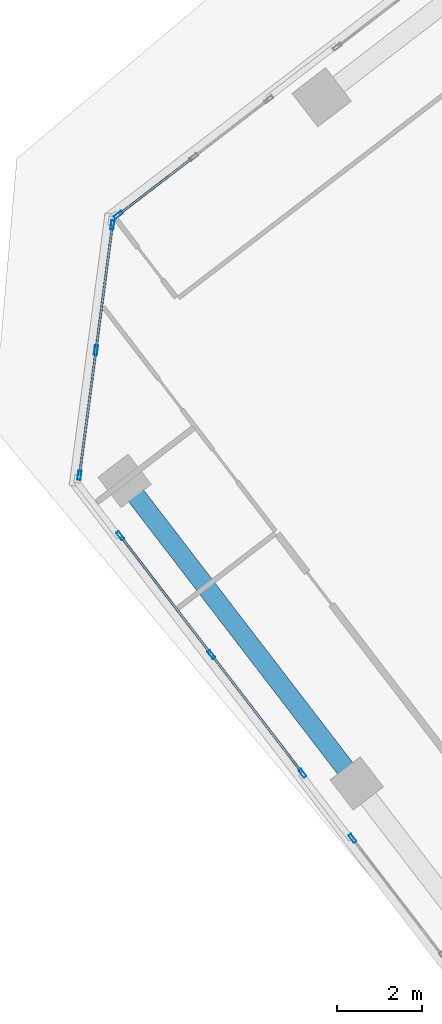
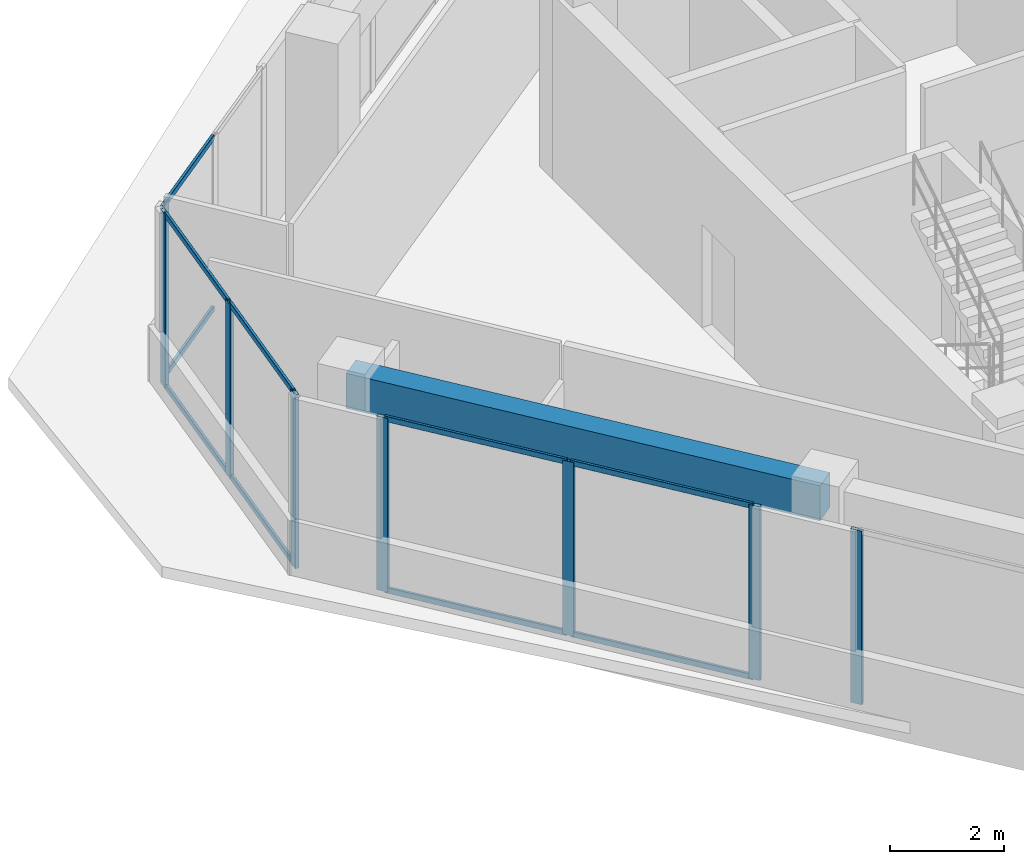
# One storey, part 4 of 17: 18 members, 1 beam, 4 elements without a shape of their own.
"""IFC4 building model written with IfcOpenShell, lengths in metres."""

import ifcopenshell
import ifcopenshell.guid

model = None  # the IFC model being written
_history = None  # IfcOwnerHistory: only IFC2X3 demands one
_inside = {}  # id of a spatial element -> (the spatial element, [elements in it])
_under = {}  # id of a project, library or spatial element -> (it, [spatial elements below it])
_declared = {}  # id of a project -> (the project, [libraries it declares])
_typed = {}  # id of a type object -> (the type object, [elements of that type])
_made_of = {}  # id of a material, layer set ... -> (it, [elements and type objects made of it])


def new_model(schema):
    """Start an empty IFC model of exactly this schema.

    Asked for "IFC4X3", IfcOpenShell would pick the latest addendum, in which some entities
    have other attributes; the version numbers below select the first issue.
    IFC2X3 requires an IfcOwnerHistory on every rooted entity: one is made here for all.
    """
    global model, _history
    if schema == "IFC4X3":
        model = ifcopenshell.file(schema_version=(4, 3, 0, 0))
    else:
        model = ifcopenshell.file(schema=schema)
    _inside.clear()
    _under.clear()
    _declared.clear()
    _typed.clear()
    _made_of.clear()
    _history = None
    if model.schema == "IFC2X3":
        org = make("IfcOrganization", Name="unknown")
        user = make(
            "IfcPersonAndOrganization",
            ThePerson=make("IfcPerson", FamilyName="unknown"),
            TheOrganization=org,
        )
        app = make(
            "IfcApplication",
            ApplicationDeveloper=org,
            Version="unknown",
            ApplicationFullName="unknown",
            ApplicationIdentifier="unknown",
        )
        _history = make(
            "IfcOwnerHistory",
            OwningUser=user,
            OwningApplication=app,
            ChangeAction="ADDED",
            CreationDate=0,
        )
    return model


def make(cls, **values):
    """One entity of the class cls with the attributes given. An attribute that is None is left unset."""
    return model.create_entity(
        cls, **{name: value for name, value in values.items() if value is not None}
    )


def rooted(cls, **values):
    """An entity with a GlobalId (a new one), such as an element, a storey or a relation."""
    return make(cls, GlobalId=ifcopenshell.guid.new(), OwnerHistory=_history, **values)


def si_unit(unit_type, name, prefix=None):
    """IfcSIUnit, for example si_unit("LENGTHUNIT", "METRE", prefix="MILLI")."""
    return make("IfcSIUnit", UnitType=unit_type, Prefix=prefix, Name=name)


def assignment(units):
    """IfcUnitAssignment: the units of a project."""
    return None if units is None else make("IfcUnitAssignment", Units=units)


def point(xyz):
    """IfcCartesianPoint."""
    return None if xyz is None else make("IfcCartesianPoint", Coordinates=xyz)


def direction(xyz):
    """IfcDirection."""
    return None if xyz is None else make("IfcDirection", DirectionRatios=xyz)


def frame(location, z_axis=None, x_axis=None):
    """IfcAxis2Placement3D, a coordinate frame: its origin and axes. An axis left out is left unset."""
    return make(
        "IfcAxis2Placement3D",
        Location=point(location),
        Axis=direction(z_axis),
        RefDirection=direction(x_axis),
    )


def frame_2d(location, x_axis=None):
    """IfcAxis2Placement2D, a coordinate frame in the plane: its origin and x axis."""
    return make(
        "IfcAxis2Placement2D", Location=point(location), RefDirection=direction(x_axis)
    )


def origin():
    """The frame at (0, 0, 0) with its axes left unset."""
    return frame((0.0, 0.0, 0.0))


def origin_2d():
    """The frame at (0, 0) in the plane with its x axis left unset."""
    return frame_2d((0.0, 0.0))


def place(relative_to, where):
    """IfcLocalPlacement: puts the frame where relative to a parent placement (None: the world)."""
    return make(
        "IfcLocalPlacement", PlacementRelTo=relative_to, RelativePlacement=where
    )


def context(
    kind, dimensions, precision=None, world=None, true_north=None, identifier=None
):
    """IfcGeometricRepresentationContext, for example the 3D "Model" context."""
    return make(
        "IfcGeometricRepresentationContext",
        ContextIdentifier=identifier,
        ContextType=kind,
        CoordinateSpaceDimension=dimensions,
        Precision=precision,
        WorldCoordinateSystem=world,
        TrueNorth=true_north,
    )


def subcontext(parent, identifier, kind, view, scale=None):
    """IfcGeometricRepresentationSubContext, for example "Body" below "Model"."""
    return make(
        "IfcGeometricRepresentationSubContext",
        ContextIdentifier=identifier,
        ContextType=kind,
        ParentContext=parent,
        TargetScale=scale,
        TargetView=view,
    )


def project(units=None, contexts=None):
    """IfcProject with its units and contexts."""
    return rooted(
        "IfcProject",
        Name="project",
        RepresentationContexts=contexts,
        UnitsInContext=assignment(units),
    )


def spatial(cls, under=None, at=None, **own):
    """A site, building, storey or space (cls), placed at a placement, below another one or the project."""
    s = rooted(cls, ObjectPlacement=at, **own)
    if under is not None:
        _under.setdefault(under.id(), (under, []))[1].append(s)
    return s


def profile(cls, at=None, kind="AREA", **sizes):
    """A parametric profile (cls). Its sizes go by their IFC names, for example OverallWidth=200.0."""
    return make(cls, ProfileType=kind, Position=at, **sizes)


def rectangle(**sizes):
    """IfcRectangleProfileDef."""
    return profile("IfcRectangleProfileDef", **sizes)


def hollow_rectangle(**sizes):
    """IfcRectangleHollowProfileDef."""
    return profile("IfcRectangleHollowProfileDef", **sizes)


def extrude(swept, where, along, depth):
    """IfcExtrudedAreaSolid: the profile swept, set in the frame where, extruded along a direction by depth."""
    return make(
        "IfcExtrudedAreaSolid",
        SweptArea=swept,
        Position=where,
        ExtrudedDirection=direction(along),
        Depth=depth,
    )


def shape(context_of_items, identifier, shape_type, items):
    """IfcShapeRepresentation: the items that make up one representation, for example the "Body"."""
    return make(
        "IfcShapeRepresentation",
        ContextOfItems=context_of_items,
        RepresentationIdentifier=identifier,
        RepresentationType=shape_type,
        Items=items,
    )


def source(mapping_origin, context_of_items, identifier, shape_type, items):
    """IfcRepresentationMap: a shape defined once, which mapped items show again and again."""
    return make(
        "IfcRepresentationMap",
        MappingOrigin=mapping_origin,
        MappedRepresentation=shape(context_of_items, identifier, shape_type, items),
    )


def transform(
    local_origin,
    x_axis=None,
    y_axis=None,
    z_axis=None,
    scale=None,
    scale2=None,
    scale3=None,
    uniform=True,
):
    """IfcCartesianTransformationOperator3D, or its non-uniform kind. x_axis, y_axis, z_axis: its Axis1, 2, 3."""
    if uniform:
        return make(
            "IfcCartesianTransformationOperator3D",
            Axis1=direction(x_axis),
            Axis2=direction(y_axis),
            LocalOrigin=point(local_origin),
            Scale=scale,
            Axis3=direction(z_axis),
        )
    return make(
        "IfcCartesianTransformationOperator3DnonUniform",
        Axis1=direction(x_axis),
        Axis2=direction(y_axis),
        LocalOrigin=point(local_origin),
        Scale=scale,
        Axis3=direction(z_axis),
        Scale2=scale2,
        Scale3=scale3,
    )


def mapped(mapping_source, mapping_target):
    """IfcMappedItem: shows the shape of a source again, moved by a transform."""
    return make(
        "IfcMappedItem", MappingSource=mapping_source, MappingTarget=mapping_target
    )


def material(Name=None, Category=None):
    """IfcMaterial."""
    return make("IfcMaterial", Name=Name, Category=Category)


def material_profile(
    of_material, cross_section, Name=None, Category=None, Priority=None
):
    """IfcMaterialProfile: a cross section and its material."""
    return make(
        "IfcMaterialProfile",
        Name=Name,
        Material=of_material,
        Profile=cross_section,
        Priority=Priority,
        Category=Category,
    )


def profile_set(profiles, Name=None, composite=None):
    """IfcMaterialProfileSet."""
    return make(
        "IfcMaterialProfileSet",
        Name=Name,
        MaterialProfiles=profiles,
        CompositeProfile=composite,
    )


def made_of(thing, what):
    """Note that an element or type object is made of a material, layer set ...; save() writes the relation."""
    if what is not None:
        _made_of.setdefault(what.id(), (what, []))[1].append(thing)
    return thing


def type_object(cls, material=None, **own):
    """A type object (cls), such as IfcWallType, which elements share."""
    return made_of(rooted(cls, **own), material)


def element(
    cls,
    number,
    at=None,
    inside=None,
    cuts=None,
    type_object=None,
    material=None,
    context=None,
    identifier="Body",
    shape_type=None,
    held_by="IfcProductDefinitionShape",
    body=None,
    shapes=None,
    **own,
):
    """One element of the class cls, such as IfcWall. Its Tag is "e" and its number.

    at: its placement. inside: the storey or other place that contains it. cuts: it is an
    opening in that element (IfcRelVoidsElement). A single representation is given by context,
    identifier, shape_type and body (its items); several are given by shapes. held_by: the class
    of the entity that holds the representations. save() writes the other relations.
    """
    e = rooted(cls, Tag="e%d" % number, ObjectPlacement=at, **own)
    if body is not None:
        shapes = [shape(context, identifier, shape_type, body)]
    if shapes is not None:
        e.Representation = make(held_by, Representations=shapes)
    if inside is not None:
        _inside.setdefault(inside.id(), (inside, []))[1].append(e)
    if cuts is not None:
        rooted(
            "IfcRelVoidsElement", RelatingBuildingElement=cuts, RelatedOpeningElement=e
        )
    if type_object is not None:
        _typed.setdefault(type_object.id(), (type_object, []))[1].append(e)
    return made_of(e, material)


def aggregate(whole, parts):
    """IfcRelAggregates: a whole, such as a stair, and the parts it consists of."""
    return rooted("IfcRelAggregates", RelatingObject=whole, RelatedObjects=parts)


def save(model, path):
    """Write the relations noted so far, then the file.

    IfcRelAggregates (storeys below a building ...), IfcRelContainedInSpatialStructure (elements
    in a storey), IfcRelDefinesByType, IfcRelAssociatesMaterial and IfcRelDeclares: one each for
    every whole, place, type object, material and project.
    """
    for whole, parts in _under.values():
        aggregate(whole, parts)
    for where, things in _inside.values():
        rooted(
            "IfcRelContainedInSpatialStructure",
            RelatedElements=things,
            RelatingStructure=where,
        )
    for kind, things in _typed.values():
        rooted("IfcRelDefinesByType", RelatedObjects=things, RelatingType=kind)
    for what, things in _made_of.values():
        rooted("IfcRelAssociatesMaterial", RelatedObjects=things, RelatingMaterial=what)
    for by, libraries in _declared.values():
        rooted("IfcRelDeclares", RelatingContext=by, RelatedDefinitions=libraries)
    model.write(path)


model = new_model("IFC4")

# Units and contexts
model_context = context("Model", 3, precision=1e-05, world=origin(), true_north=direction((0.0, 1.0)))
body_context = subcontext(model_context, "Body", "Model", "MODEL_VIEW")
ifc_project = project(units=[si_unit("LENGTHUNIT", "METRE"), si_unit("AREAUNIT", "SQUARE_METRE"), si_unit("VOLUMEUNIT", "CUBIC_METRE"), si_unit("PLANEANGLEUNIT", "RADIAN"), si_unit("MASSUNIT", "GRAM", prefix="KILO")], contexts=[model_context])

# Site, building, storey
site_placement = place(None, origin())
site = spatial("IfcSite", under=ifc_project, at=site_placement, CompositionType="ELEMENT")
building_placement = place(site_placement, origin())
building = spatial("IfcBuilding", under=site, at=building_placement, Name="Torre Montelarca", CompositionType="ELEMENT")
storey_placement = place(building_placement, frame((0.0, 0.0, 279.39990234375)))
storey = spatial("IfcBuildingStorey", under=building, at=storey_placement, Name="L63", CompositionType="ELEMENT", Elevation=279.39990234375)

# Beam
ifc_material_1 = material(Name="Concrete C55/67", Category="concrete")
ifc_material_profile_1 = material_profile(ifc_material_1, rectangle(XDim=0.449951171875, YDim=0.75, at=origin_2d()), Name="RCB450X750", Category="concrete")
ifc_profile_set_1 = profile_set([ifc_material_profile_1], Name="Concrete C55/67")
beam_type = type_object("IfcBeamType", Name="BM-SP-RC750-EXT", PredefinedType="SPANDREL", material=ifc_profile_set_1)
shared_shape_1 = source(origin(), body_context, "Body", "SweptSolid", [
    extrude(rectangle(XDim=0.449951171875, YDim=0.75, at=origin_2d()), origin(), (0.0, 0.0, 1.0), 9.0),
])
beam_placement = place(storey_placement, frame((0.244873046875, 31.4462890625, 3.585205078125), z_axis=(0.608744143222, -0.793366603842, 0.0), x_axis=(0.793366603842, 0.608744143222, 0.0)))
element("IfcBeam", 1, at=beam_placement, inside=storey, type_object=beam_type, Name="L63 Grid Girder X 9.0-18.0 at Y=14.8", PredefinedType="SPANDREL", context=body_context, shape_type="MappedRepresentation", body=[
    mapped(shared_shape_1, transform((0.0, 0.0, 0.0), scale=1.0)),
])

# Curtain wall, members
ifc_material_2 = material(Name="Insulated low-E laminated glass", Category="glass")
curtain_wall_type = type_object("IfcCurtainWallType", Name="CW-SYS-Z3", PredefinedType="USERDEFINED", material=ifc_material_2)
curtain_wall_1_placement = place(storey_placement, origin())
curtain_wall_1 = element("IfcCurtainWall", 2, at=curtain_wall_1_placement, inside=storey, type_object=curtain_wall_type, Name="L63 Curtain Wall Run CW-T3-L63-E01-B1", ObjectType="UNITISED GLAZING", PredefinedType="USERDEFINED")
ifc_material_3 = material(Name="Anodised aluminium AA 6063-T6", Category="aluminium")
ifc_material_profile_2 = material_profile(ifc_material_3, hollow_rectangle(XDim=0.074951171875, YDim=0.219970703125, WallThickness=0.0048828125, InnerFilletRadius=0.0048828125, OuterFilletRadius=0.010009765625, at=origin_2d()), Name="ALU75X220X5", Category="aluminium")
ifc_profile_set_2 = profile_set([ifc_material_profile_2], Name="Anodised aluminium AA 6063-T6")
member_type_1 = type_object("IfcMemberType", Name="CWM-ALU220", PredefinedType="MULLION", material=ifc_profile_set_2)
shared_shape_2 = source(origin(), body_context, "Body", "SweptSolid", [
    extrude(hollow_rectangle(XDim=0.074951171875, YDim=0.219970703125, WallThickness=0.0048828125, InnerFilletRadius=0.0048828125, OuterFilletRadius=0.010009765625, at=origin_2d()), origin(), (0.0, 0.0, 1.0), 3.72021484375),
])
member_1_placement = place(storey_placement, frame((0.1435546875, 30.14892578125, 0.0), z_axis=(0.0, 0.0, 1.0), x_axis=(0.793348180762, 0.608768152979, 0.0)))
member_1 = element("IfcMember", 3, at=member_1_placement, type_object=member_type_1, Name="CW mullion 1", PredefinedType="MULLION", context=body_context, shape_type="MappedRepresentation", body=[
    mapped(shared_shape_2, transform((0.0, 0.0, 0.0), scale=1.0)),
])
member_2_placement = place(storey_placement, frame((2.2939453125, 27.346435546875, 0.0), z_axis=(0.0, 0.0, 1.0), x_axis=(0.793348180762, 0.608768152979, 0.0)))
member_2 = element("IfcMember", 4, at=member_2_placement, type_object=member_type_1, Name="CW mullion 2", PredefinedType="MULLION", context=body_context, shape_type="MappedRepresentation", body=[
    mapped(shared_shape_2, transform((0.0, 0.0, 0.0), scale=1.0)),
])
member_3_placement = place(storey_placement, frame((4.444580078125, 24.5439453125, 0.0), z_axis=(0.0, 0.0, 1.0), x_axis=(0.793348180762, 0.608768152979, 0.0)))
member_3 = element("IfcMember", 5, at=member_3_placement, type_object=member_type_1, Name="CW mullion 3", PredefinedType="MULLION", context=body_context, shape_type="MappedRepresentation", body=[
    mapped(shared_shape_2, transform((0.0, 0.0, 0.0), scale=1.0)),
])

# Curtain wall, member
curtain_wall_2_placement = place(storey_placement, origin())
curtain_wall_2 = element("IfcCurtainWall", 6, at=curtain_wall_2_placement, inside=storey, type_object=curtain_wall_type, Name="L63 Curtain Wall Run CW-T3-L63-E01-B2", ObjectType="UNITISED GLAZING", PredefinedType="USERDEFINED")
member_4_placement = place(storey_placement, frame((5.622314453125, 23.0087890625, 0.0), z_axis=(0.0, 0.0, 1.0), x_axis=(0.793350672852, 0.608764905268, 0.0)))
member_4 = element("IfcMember", 7, at=member_4_placement, type_object=member_type_1, Name="CW mullion 1", PredefinedType="MULLION", context=body_context, shape_type="MappedRepresentation", body=[
    mapped(shared_shape_2, transform((0.0, 0.0, 0.0), scale=1.0)),
])
aggregate(curtain_wall_2, [member_4])

curtain_wall_3_placement = place(storey_placement, origin())
curtain_wall_3 = element("IfcCurtainWall", 8, at=curtain_wall_3_placement, inside=storey, type_object=curtain_wall_type, Name="L63 Curtain Wall Run CW-T3-L63-E10-B3", ObjectType="UNITISED GLAZING", PredefinedType="USERDEFINED")
member_5_placement = place(storey_placement, frame((0.096435546875, 37.722900390625, 0.0), z_axis=(0.0, 0.0, 1.0), x_axis=(0.608757401695, -0.793356430541, 0.0)))
member_5 = element("IfcMember", 9, at=member_5_placement, type_object=member_type_1, Name="CW mullion 3", PredefinedType="MULLION", context=body_context, shape_type="MappedRepresentation", body=[
    mapped(shared_shape_2, transform((0.0, 0.0, 0.0), scale=1.0)),
])

# Curtain wall, members
curtain_wall_4_placement = place(storey_placement, origin())
curtain_wall_4 = element("IfcCurtainWall", 10, at=curtain_wall_4_placement, inside=storey, type_object=curtain_wall_type, Name="L63 Curtain Wall Run CW-T3-L63-E11-B1", ObjectType="UNITISED GLAZING", PredefinedType="USERDEFINED")
member_6_placement = place(storey_placement, frame((-0.041748046875, 37.483642578125, 0.0), z_axis=(0.0, 0.0, 1.0), x_axis=(0.991446450787, -0.130514118862, 0.0)))
member_6 = element("IfcMember", 11, at=member_6_placement, type_object=member_type_1, Name="CW mullion 1", PredefinedType="MULLION", context=body_context, shape_type="MappedRepresentation", body=[
    mapped(shared_shape_2, transform((0.0, 0.0, 0.0), scale=1.0)),
])
member_7_placement = place(storey_placement, frame((-0.430419921875, 34.530517578125, 0.0), z_axis=(0.0, 0.0, 1.0), x_axis=(0.991446450787, -0.130514118862, 0.0)))
member_7 = element("IfcMember", 12, at=member_7_placement, type_object=member_type_1, Name="CW mullion 2", PredefinedType="MULLION", context=body_context, shape_type="MappedRepresentation", body=[
    mapped(shared_shape_2, transform((0.0, 0.0, 0.0), scale=1.0)),
])
member_8_placement = place(storey_placement, frame((-0.819091796875, 31.577392578125, 0.0), z_axis=(0.0, 0.0, 1.0), x_axis=(0.991446450787, -0.130514118862, 0.0)))
member_8 = element("IfcMember", 13, at=member_8_placement, type_object=member_type_1, Name="CW mullion 3", PredefinedType="MULLION", context=body_context, shape_type="MappedRepresentation", body=[
    mapped(shared_shape_2, transform((0.0, 0.0, 0.0), scale=1.0)),
])
ifc_material_profile_3 = material_profile(ifc_material_3, hollow_rectangle(XDim=0.054931640625, YDim=0.1201171875, WallThickness=0.00341796875, InnerFilletRadius=0.00341796875, OuterFilletRadius=0.007080078125, at=origin_2d()), Name="ALU55X120X3.5", Category="aluminium")
ifc_profile_set_3 = profile_set([ifc_material_profile_3], Name="Anodised aluminium AA 6063-T6")
member_type_2 = type_object("IfcMemberType", Name="CWT-ALU120", PredefinedType="USERDEFINED", material=ifc_profile_set_3)
shared_shape_3 = source(origin(), body_context, "Body", "SweptSolid", [
    extrude(hollow_rectangle(XDim=0.054931640625, YDim=0.1201171875, WallThickness=0.00341796875, InnerFilletRadius=0.00341796875, OuterFilletRadius=0.007080078125, at=origin_2d()), origin(), (0.0, 0.0, 1.0), 2.90380859375),
])
member_9_placement = place(storey_placement, frame((-0.046630859375, 37.446533203125, 0.027587890625), z_axis=(-0.13048931135, -0.991449716135, 0.0), x_axis=(0.991449716135, -0.13048931135, 0.0)))
member_9 = element("IfcMember", 14, at=member_9_placement, type_object=member_type_2, Name="CW transom 1.1", ObjectType="TRANSOM", PredefinedType="USERDEFINED", context=body_context, shape_type="MappedRepresentation", body=[
    mapped(shared_shape_3, transform((0.0, 0.0, 0.0), scale=1.0)),
])
member_10_placement = place(storey_placement, frame((-0.046630859375, 37.446533203125, 3.692626953125), z_axis=(-0.13048931135, -0.991449716135, 0.0), x_axis=(0.991449716135, -0.13048931135, 0.0)))
member_10 = element("IfcMember", 15, at=member_10_placement, type_object=member_type_2, Name="CW transom 1.2", ObjectType="TRANSOM", PredefinedType="USERDEFINED", context=body_context, shape_type="MappedRepresentation", body=[
    mapped(shared_shape_3, transform((0.0, 0.0, 0.0), scale=1.0)),
])
member_11_placement = place(storey_placement, frame((-0.435302734375, 34.493408203125, 0.027587890625), z_axis=(-0.13048931135, -0.991449716135, 0.0), x_axis=(0.991449716135, -0.13048931135, 0.0)))
member_11 = element("IfcMember", 16, at=member_11_placement, type_object=member_type_2, Name="CW transom 2.1", ObjectType="TRANSOM", PredefinedType="USERDEFINED", context=body_context, shape_type="MappedRepresentation", body=[
    mapped(shared_shape_3, transform((0.0, 0.0, 0.0), scale=1.0)),
])
member_12_placement = place(storey_placement, frame((-0.435302734375, 34.493408203125, 3.692626953125), z_axis=(-0.13048931135, -0.991449716135, 0.0), x_axis=(0.991449716135, -0.13048931135, 0.0)))
member_12 = element("IfcMember", 17, at=member_12_placement, type_object=member_type_2, Name="CW transom 2.2", ObjectType="TRANSOM", PredefinedType="USERDEFINED", context=body_context, shape_type="MappedRepresentation", body=[
    mapped(shared_shape_3, transform((0.0, 0.0, 0.0), scale=1.0)),
])
aggregate(curtain_wall_4, [member_6, member_7, member_8, member_9, member_10, member_11, member_12])

# Member
shared_shape_4 = source(origin(), body_context, "Body", "SweptSolid", [
    extrude(hollow_rectangle(XDim=0.054931640625, YDim=0.1201171875, WallThickness=0.00341796875, InnerFilletRadius=0.00341796875, OuterFilletRadius=0.007080078125, at=origin_2d()), origin(), (0.0, 0.0, 1.0), 3.45751953125),
])
member_13_placement = place(storey_placement, frame((0.166259765625, 30.119140625, 0.027587890625), z_axis=(0.608809484035, -0.79331646406, 0.0), x_axis=(0.79331646406, 0.608809484035, 0.0)))
member_13 = element("IfcMember", 18, at=member_13_placement, type_object=member_type_2, Name="CW transom 1.1", ObjectType="TRANSOM", PredefinedType="USERDEFINED", context=body_context, shape_type="MappedRepresentation", body=[
    mapped(shared_shape_4, transform((0.0, 0.0, 0.0), scale=1.0)),
])

member_14_placement = place(storey_placement, frame((0.166259765625, 30.119140625, 3.692626953125), z_axis=(0.608809484035, -0.79331646406, 0.0), x_axis=(0.79331646406, 0.608809484035, 0.0)))
member_14 = element("IfcMember", 19, at=member_14_placement, type_object=member_type_2, Name="CW transom 1.2", ObjectType="TRANSOM", PredefinedType="USERDEFINED", context=body_context, shape_type="MappedRepresentation", body=[
    mapped(shared_shape_4, transform((0.0, 0.0, 0.0), scale=1.0)),
])

shared_shape_5 = source(origin(), body_context, "Body", "SweptSolid", [
    extrude(hollow_rectangle(XDim=0.054931640625, YDim=0.1201171875, WallThickness=0.00341796875, InnerFilletRadius=0.00341796875, OuterFilletRadius=0.007080078125, at=origin_2d()), origin(), (0.0, 0.0, 1.0), 3.457275390625),
])
member_15_placement = place(storey_placement, frame((2.31689453125, 27.316650390625, 0.027587890625), z_axis=(0.608765041959, -0.793350567964, 0.0), x_axis=(0.793350567964, 0.608765041959, 0.0)))
member_15 = element("IfcMember", 20, at=member_15_placement, type_object=member_type_2, Name="CW transom 2.1", ObjectType="TRANSOM", PredefinedType="USERDEFINED", context=body_context, shape_type="MappedRepresentation", body=[
    mapped(shared_shape_5, transform((0.0, 0.0, 0.0), scale=1.0)),
])

member_16_placement = place(storey_placement, frame((2.31689453125, 27.316650390625, 3.692626953125), z_axis=(0.608765041959, -0.793350567964, 0.0), x_axis=(0.793350567964, 0.608765041959, 0.0)))
member_16 = element("IfcMember", 21, at=member_16_placement, type_object=member_type_2, Name="CW transom 2.2", ObjectType="TRANSOM", PredefinedType="USERDEFINED", context=body_context, shape_type="MappedRepresentation", body=[
    mapped(shared_shape_5, transform((0.0, 0.0, 0.0), scale=1.0)),
])

aggregate(curtain_wall_1, [member_1, member_2, member_3, member_13, member_14, member_15, member_16])

shared_shape_6 = source(origin(), body_context, "Body", "SweptSolid", [
    extrude(hollow_rectangle(XDim=0.054931640625, YDim=0.1201171875, WallThickness=0.00341796875, InnerFilletRadius=0.00341796875, OuterFilletRadius=0.007080078125, at=origin_2d()), origin(), (0.0, 0.0, 1.0), 2.16455078125),
])
member_17_placement = place(storey_placement, frame((1.843505859375, 39.0634765625, 0.027587890625), z_axis=(-0.793373932835, -0.608734591343, 0.0), x_axis=(0.608734591343, -0.793373932835, 0.0)))
member_17 = element("IfcMember", 22, at=member_17_placement, type_object=member_type_2, Name="CW transom 2.1", ObjectType="TRANSOM", PredefinedType="USERDEFINED", context=body_context, shape_type="MappedRepresentation", body=[
    mapped(shared_shape_6, transform((0.0, 0.0, 0.0), scale=1.0)),
])

member_18_placement = place(storey_placement, frame((1.843505859375, 39.0634765625, 3.692626953125), z_axis=(-0.793373932835, -0.608734591343, 0.0), x_axis=(0.608734591343, -0.793373932835, 0.0)))
member_18 = element("IfcMember", 23, at=member_18_placement, type_object=member_type_2, Name="CW transom 2.2", ObjectType="TRANSOM", PredefinedType="USERDEFINED", context=body_context, shape_type="MappedRepresentation", body=[
    mapped(shared_shape_6, transform((0.0, 0.0, 0.0), scale=1.0)),
])

aggregate(curtain_wall_3, [member_5, member_17, member_18])

save(model, "model.ifc")
